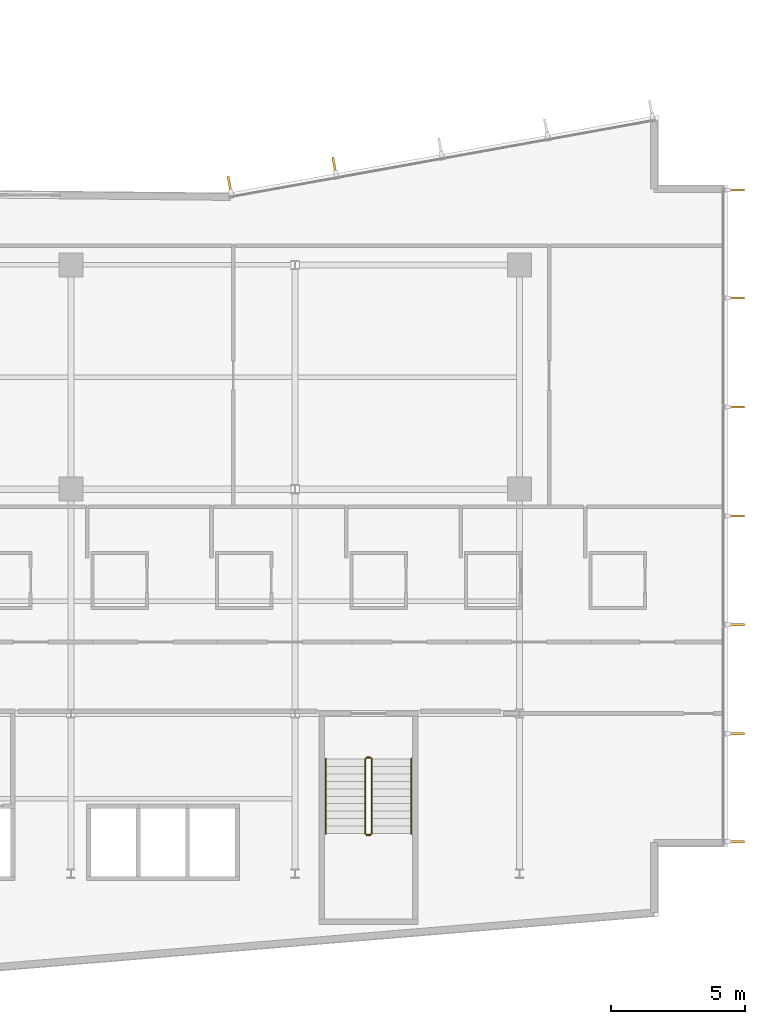
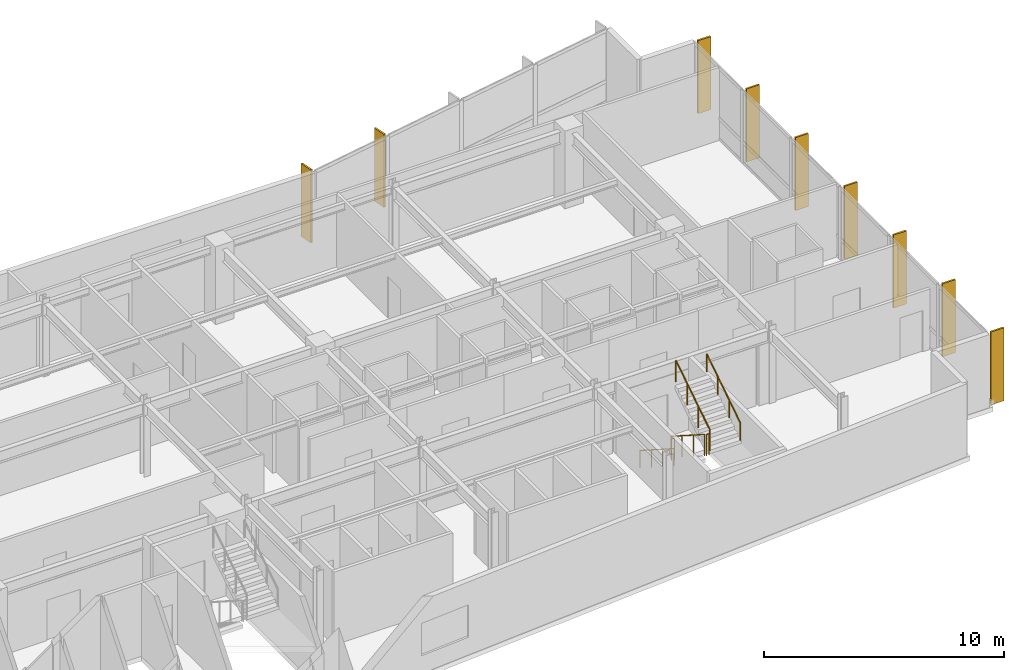
# One storey, part 17 of 19: 9 shading devices, 6 railings.
"""IFC4 building model written with IfcOpenShell, lengths in metres."""

from ifc_helpers import new_model, si_unit, direction, frame, origin, origin_2d, place, context, subcontext, project, spatial, rectangle, circle, extrude, material, layer, layer_set, type_object, element, save


model = new_model("IFC4")

# Units and contexts
model_context = context("Model", 3, precision=1e-05, world=origin(), true_north=direction((0.0, 1.0)))
body_context = subcontext(model_context, "Body", "Model", "MODEL_VIEW")
ifc_project = project(units=[si_unit("LENGTHUNIT", "METRE"), si_unit("AREAUNIT", "SQUARE_METRE"), si_unit("VOLUMEUNIT", "CUBIC_METRE"), si_unit("PLANEANGLEUNIT", "RADIAN"), si_unit("MASSUNIT", "GRAM", prefix="KILO")], contexts=[model_context])

# Site, building, storey
site_placement = place(None, origin())
site = spatial("IfcSite", under=ifc_project, at=site_placement, CompositionType="ELEMENT")
building_placement = place(site_placement, origin())
building = spatial("IfcBuilding", under=site, at=building_placement, Name="Varnakote Quay Hospital", CompositionType="ELEMENT")
storey_placement = place(building_placement, frame((0.0, 0.0, 85.699951171875)))
storey = spatial("IfcBuildingStorey", under=building, at=storey_placement, Name="L21", CompositionType="ELEMENT", Elevation=85.699951171875)

# Railings
ifc_material_1 = material(Name="Brushed stainless steel balustrade", Category="steel")
railing_type_1 = type_object("IfcRailingType", Name="RLG-STAIR-GUARD-1150", PredefinedType="GUARDRAIL", material=ifc_material_1)
railing_1_placement = place(storey_placement, frame((44.6298828125, 10.300048828125, 0.1796875)))
element("IfcRailing", 1, at=railing_1_placement, inside=storey, type_object=railing_type_1, Name="L21 ST-03 stair guard 1", PredefinedType="GUARDRAIL", context=body_context, shape_type="SweptSolid", body=[
    extrude(circle(Radius=0.02392578125, at=origin_2d()), frame((0.0, 0.0, 1.076171875), z_axis=(0.0, -0.841809871826, 0.539774156196), x_axis=(1.0, 0.0, 0.0)), (0.0, 0.0, 1.0), 3.326171875),
    extrude(circle(Radius=0.02099609375, at=origin_2d()), origin(), (0.0, 0.0, 1.0), 1.052001953125),
    extrude(circle(Radius=0.02099609375, at=origin_2d()), frame((0.0, -0.933349609375, 0.598388671875)), (0.0, 0.0, 1.0), 1.052001953125),
    extrude(circle(Radius=0.02099609375, at=origin_2d()), frame((0.0, -1.86669921875, 1.197021484375)), (0.0, 0.0, 1.0), 1.052001953125),
    extrude(circle(Radius=0.02099609375, at=origin_2d()), frame((0.0, -2.800048828125, 1.79541015625)), (0.0, 0.0, 1.0), 1.052001953125),
])
railing_2_placement = place(storey_placement, frame((44.679931640625, 7.449951171875, 1.97509765625)))
element("IfcRailing", 2, at=railing_2_placement, inside=storey, type_object=railing_type_1, Name="L21 ST-03 stair guard 2", PredefinedType="GUARDRAIL", context=body_context, shape_type="SweptSolid", body=[
    extrude(circle(Radius=0.02392578125, at=origin_2d()), frame((0.0, 0.0, 1.076171875), z_axis=(1.0, 0.0, 0.0), x_axis=(0.0, 1.0, 0.0)), (0.0, 0.0, 1.0), 0.14013671875),
    extrude(circle(Radius=0.02099609375, at=origin_2d()), origin(), (0.0, 0.0, 1.0), 1.052001953125),
    extrude(circle(Radius=0.02099609375, at=origin_2d()), frame((0.14013671875, 0.0, 0.0)), (0.0, 0.0, 1.0), 1.052001953125),
])
railing_3_placement = place(storey_placement, frame((44.8701171875, 7.5, 2.154541015625)))
element("IfcRailing", 3, at=railing_3_placement, inside=storey, type_object=railing_type_1, Name="L21 ST-03 stair guard 3", PredefinedType="GUARDRAIL", context=body_context, shape_type="SweptSolid", body=[
    extrude(circle(Radius=0.02392578125, at=origin_2d()), frame((0.0, 0.0, 1.076171875), z_axis=(0.0, 0.841809871826, 0.539774156196), x_axis=(-1.0, 0.0, 0.0)), (0.0, 0.0, 1.0), 3.326171875),
    extrude(circle(Radius=0.02099609375, at=origin_2d()), origin(), (0.0, 0.0, 1.0), 1.052001953125),
    extrude(circle(Radius=0.02099609375, at=origin_2d()), frame((0.0, 0.933349609375, 0.598388671875)), (0.0, 0.0, 1.0), 1.052001953125),
    extrude(circle(Radius=0.02099609375, at=origin_2d()), frame((0.0, 1.86669921875, 1.197021484375)), (0.0, 0.0, 1.0), 1.052001953125),
    extrude(circle(Radius=0.02099609375, at=origin_2d()), frame((0.0, 2.800048828125, 1.79541015625)), (0.0, 0.0, 1.0), 1.052001953125),
])
railing_4_placement = place(storey_placement, frame((44.679931640625, 10.35009765625, 0.0)))
element("IfcRailing", 4, at=railing_4_placement, inside=storey, type_object=railing_type_1, Name="L21 ST-03 stair guard 4", PredefinedType="GUARDRAIL", context=body_context, shape_type="SweptSolid", body=[
    extrude(circle(Radius=0.02392578125, at=origin_2d()), frame((0.0, 0.0, 1.076171875), z_axis=(1.0, 0.0, 0.0), x_axis=(0.0, 1.0, 0.0)), (0.0, 0.0, 1.0), 0.14013671875),
    extrude(circle(Radius=0.02099609375, at=origin_2d()), origin(), (0.0, 0.0, 1.0), 1.052001953125),
    extrude(circle(Radius=0.02099609375, at=origin_2d()), frame((0.14013671875, 0.0, 0.0)), (0.0, 0.0, 1.0), 1.052001953125),
])
ifc_material_2 = material(Name="Brushed stainless steel handrail", Category="steel")
railing_type_2 = type_object("IfcRailingType", Name="RLG-STAIR-HND-920", PredefinedType="HANDRAIL", material=ifc_material_2)
railing_5_placement = place(storey_placement, frame((43.14990234375, 10.300048828125, 0.1796875)))
element("IfcRailing", 5, at=railing_5_placement, inside=storey, type_object=railing_type_2, Name="L21 ST-03 stair handrail 1", PredefinedType="HANDRAIL", context=body_context, shape_type="SweptSolid", body=[
    extrude(circle(Radius=0.02392578125, at=origin_2d()), frame((0.0, 0.0, 0.8759765625), z_axis=(0.0, -0.841809871826, 0.539774156196), x_axis=(1.0, 0.0, 0.0)), (0.0, 0.0, 1.0), 3.326171875),
    extrude(circle(Radius=0.02099609375, at=origin_2d()), origin(), (0.0, 0.0, 1.0), 0.851806640625),
    extrude(circle(Radius=0.02099609375, at=origin_2d()), frame((0.0, -0.933349609375, 0.598388671875)), (0.0, 0.0, 1.0), 0.851806640625),
    extrude(circle(Radius=0.02099609375, at=origin_2d()), frame((0.0, -1.86669921875, 1.197021484375)), (0.0, 0.0, 1.0), 0.851806640625),
    extrude(circle(Radius=0.02099609375, at=origin_2d()), frame((0.0, -2.800048828125, 1.79541015625)), (0.0, 0.0, 1.0), 0.851806640625),
])
railing_6_placement = place(storey_placement, frame((46.35009765625, 7.5, 2.154541015625)))
element("IfcRailing", 6, at=railing_6_placement, inside=storey, type_object=railing_type_2, Name="L21 ST-03 stair handrail 2", PredefinedType="HANDRAIL", context=body_context, shape_type="SweptSolid", body=[
    extrude(circle(Radius=0.02392578125, at=origin_2d()), frame((0.0, 0.0, 0.8759765625), z_axis=(0.0, 0.841809871826, 0.539774156196), x_axis=(-1.0, 0.0, 0.0)), (0.0, 0.0, 1.0), 3.326171875),
    extrude(circle(Radius=0.02099609375, at=origin_2d()), origin(), (0.0, 0.0, 1.0), 0.851806640625),
    extrude(circle(Radius=0.02099609375, at=origin_2d()), frame((0.0, 0.933349609375, 0.598388671875)), (0.0, 0.0, 1.0), 0.851806640625),
    extrude(circle(Radius=0.02099609375, at=origin_2d()), frame((0.0, 1.86669921875, 1.197021484375)), (0.0, 0.0, 1.0), 0.851806640625),
    extrude(circle(Radius=0.02099609375, at=origin_2d()), frame((0.0, 2.800048828125, 1.79541015625)), (0.0, 0.0, 1.0), 0.851806640625),
])

# Shading devices
ifc_material_3 = material(Name="Anodised aluminium 6063-T6 Bronze", Category="aluminium")
ifc_layer = layer(ifc_material_3, 0.0849609375)
ifc_layer_set = layer_set([ifc_layer], Name="Anodised aluminium 6063-T6 Bronze")
shading_device_type = type_object("IfcShadingDeviceType", Name="SHD-BRONZE-FIN-620", PredefinedType="USERDEFINED", material=ifc_layer_set)
for number, where, z_axis, x_axis, name in (
    (7, (58.510009765625, 7.197509765625, 0.0), (0.0, 0.0, 1.0), (-1.0, 0.0, 0.0), "L21 Anodised Bronze Vertical Shading FIN"),
    (8, (58.510009765625, 11.239990234375, 0.0), (0.0, 0.0, 1.0), (-1.0, 0.0, 0.0), "L21 Anodised Bronze Vertical Shading FIN"),
    (9, (58.510009765625, 15.320068359375, 0.0), (0.0, 0.0, 1.0), (-1.0, 0.0, 0.0), "L21 Anodised Bronze Vertical Shading FIN"),
    (10, (58.510009765625, 19.39990234375, 0.0), (0.0, 0.0, 1.0), (-1.0, 0.0, 0.0), "L21 Anodised Bronze Vertical Shading FIN"),
    (11, (58.510009765625, 23.47998046875, 0.0), (0.0, 0.0, 1.0), (-1.0, 0.0, 0.0), "L21 Anodised Bronze Vertical Shading FIN"),
    (12, (58.510009765625, 27.56005859375, 0.0), (0.0, 0.0, 1.0), (-1.0, 0.0, 0.0), "L21 Anodised Bronze Vertical Shading FIN"),
    (13, (58.510009765625, 31.6025390625, 0.0), (0.0, 0.0, 1.0), (-1.0, 0.0, 0.0), "L21 Anodised Bronze Vertical Shading FIN"),
    (14, (43.468505859375, 32.522705078125, 0.0), (0.0, 0.0, 1.0), (0.177771795263, -0.984071739666, 0.0), "L21 Anodised Bronze Vertical Shading FIN"),
    (15, (39.54296875, 31.81298828125, 0.0), (0.0, 0.0, 1.0), (0.177771795263, -0.984071739666, 0.0), "L21 Anodised Bronze Vertical Shading FIN"),
):
    element("IfcShadingDevice", number, at=place(storey_placement, frame(where, z_axis=z_axis, x_axis=x_axis)), inside=storey, type_object=shading_device_type, Name=name, ObjectType="FIN", PredefinedType="USERDEFINED", context=body_context, shape_type="SweptSolid", body=[
        extrude(rectangle(XDim=0.6201171875, YDim=0.0849609375, at=origin_2d()), origin(), (0.0, 0.0, 1.0), 3.7099609375),
    ])

save(model, "model.ifc")
